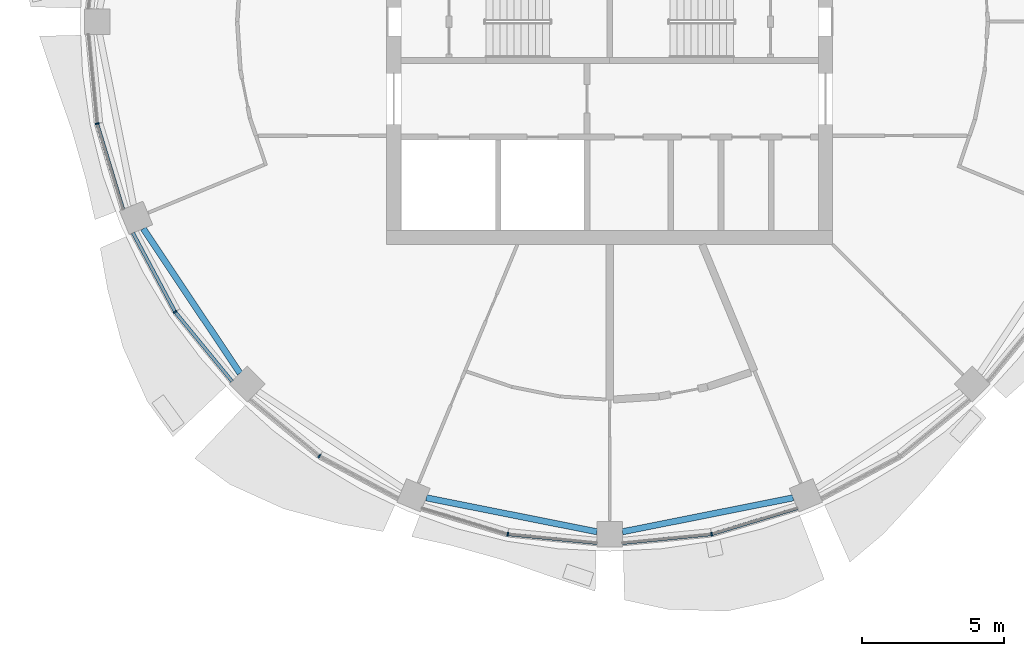
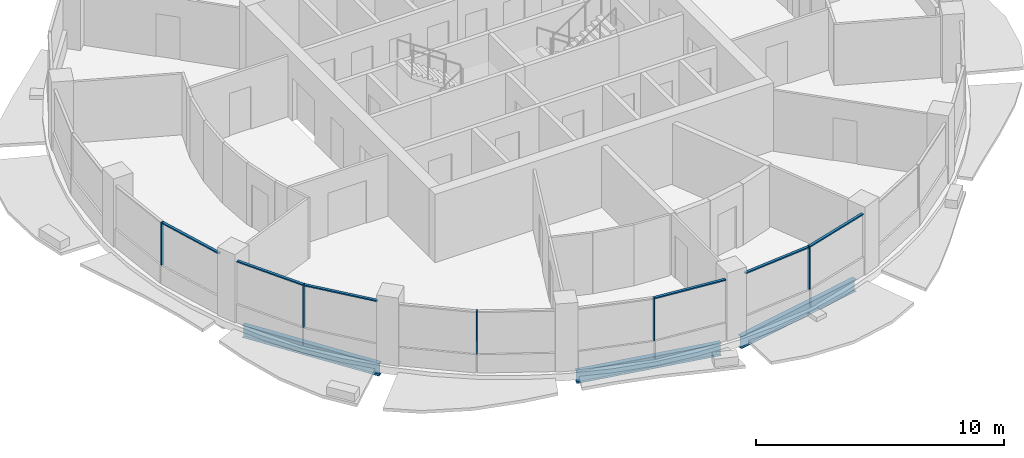
# One storey, part 2 of 15: 11 members, 3 beams, 5 elements without a shape of their own.
"""IFC4 building model written with IfcOpenShell, lengths in metres."""

from ifc_helpers import new_model, si_unit, direction, frame, origin, origin_2d, place, context, subcontext, project, spatial, rectangle, i_section, extrude, material, material_profile, profile_set, type_object, element, aggregate, save


model = new_model("IFC4")

# Units and contexts
model_context = context("Model", 3, precision=1e-05, world=origin(), true_north=direction((0.0, 1.0)))
body_context = subcontext(model_context, "Body", "Model", "MODEL_VIEW")
ifc_project = project(units=[si_unit("LENGTHUNIT", "METRE"), si_unit("AREAUNIT", "SQUARE_METRE"), si_unit("VOLUMEUNIT", "CUBIC_METRE"), si_unit("PLANEANGLEUNIT", "RADIAN"), si_unit("MASSUNIT", "GRAM", prefix="KILO")], contexts=[model_context])

# Site, building, storey
site_placement = place(None, origin())
site = spatial("IfcSite", under=ifc_project, at=site_placement, CompositionType="ELEMENT")
building_placement = place(site_placement, origin())
building = spatial("IfcBuilding", under=site, at=building_placement, Name="Polderwave Tower", CompositionType="ELEMENT")
storey_placement = place(building_placement, frame((0.0, 0.0, 170.89990234375)))
storey = spatial("IfcBuildingStorey", under=building, at=storey_placement, Name="L45", CompositionType="ELEMENT", Elevation=170.89990234375)

# Curtain wall, member
ifc_material_1 = material(Name="Aluminium 6063-T6 and glass", Category="aluminium")
curtain_wall_type = type_object("IfcCurtainWallType", Name="Office ribbon glazing wall", PredefinedType="NOTDEFINED", material=ifc_material_1)
curtain_wall_1_placement = place(storey_placement, origin())
curtain_wall_1 = element("IfcCurtainWall", 1, at=curtain_wall_1_placement, inside=storey, type_object=curtain_wall_type, Name="CW3 L45 08", PredefinedType="NOTDEFINED")
ifc_material_2 = material(Name="Aluminium 6063-T6", Category="aluminium")
ifc_material_profile_1 = material_profile(ifc_material_2, rectangle(XDim=0.139892578125, YDim=0.054931640625, at=origin_2d()), Name="AL 55x140")
ifc_profile_set_1 = profile_set([ifc_material_profile_1], Name="Aluminium 6063-T6")
member_type_1 = type_object("IfcMemberType", Name="Office ribbon glazing mullion 55x140", PredefinedType="MULLION", material=ifc_profile_set_1)
member_1_placement = place(storey_placement, frame((-18.094970703125, -3.59912109375, 0.900146484375), z_axis=(0.0, 0.0, 1.0), x_axis=(0.980783918392, 0.195097169184, 0.0)))
member_1 = element("IfcMember", 2, at=member_1_placement, type_object=member_type_1, Name="CW3 mullion 1", PredefinedType="MULLION", context=body_context, shape_type="SweptSolid", body=[
    extrude(rectangle(XDim=0.139892578125, YDim=0.054931640625, at=origin_2d()), origin(), (0.0, 0.0, 1.0), 2.099853515625),
])

curtain_wall_2_placement = place(storey_placement, origin())
curtain_wall_2 = element("IfcCurtainWall", 3, at=curtain_wall_2_placement, inside=storey, type_object=curtain_wall_type, Name="CW3 L45 09", PredefinedType="NOTDEFINED")
member_2_placement = place(storey_placement, frame((-15.341064453125, -10.25, 0.900146484375), z_axis=(0.0, 0.0, 1.0), x_axis=(0.831547176436, 0.555454132545, 0.0)))
member_2 = element("IfcMember", 4, at=member_2_placement, type_object=member_type_1, Name="CW3 mullion 1", PredefinedType="MULLION", context=body_context, shape_type="SweptSolid", body=[
    extrude(rectangle(XDim=0.139892578125, YDim=0.054931640625, at=origin_2d()), origin(), (0.0, 0.0, 1.0), 2.099853515625),
])

curtain_wall_3_placement = place(storey_placement, origin())
curtain_wall_3 = element("IfcCurtainWall", 5, at=curtain_wall_3_placement, inside=storey, type_object=curtain_wall_type, Name="CW3 L45 10", PredefinedType="NOTDEFINED")
member_3_placement = place(storey_placement, frame((-10.25, -15.341064453125, 0.900146484375), z_axis=(0.0, 0.0, 1.0), x_axis=(0.555454132545, 0.831547176436, 0.0)))
member_3 = element("IfcMember", 6, at=member_3_placement, type_object=member_type_1, Name="CW3 mullion 1", PredefinedType="MULLION", context=body_context, shape_type="SweptSolid", body=[
    extrude(rectangle(XDim=0.139892578125, YDim=0.054931640625, at=origin_2d()), origin(), (0.0, 0.0, 1.0), 2.099853515625),
])
aggregate(curtain_wall_3, [member_3])

curtain_wall_4_placement = place(storey_placement, origin())
curtain_wall_4 = element("IfcCurtainWall", 7, at=curtain_wall_4_placement, inside=storey, type_object=curtain_wall_type, Name="CW3 L45 11", PredefinedType="NOTDEFINED")
member_4_placement = place(storey_placement, frame((-3.59912109375, -18.094970703125, 0.900146484375), z_axis=(0.0, 0.0, 1.0), x_axis=(0.195097169184, 0.980783918392, 0.0)))
member_4 = element("IfcMember", 8, at=member_4_placement, type_object=member_type_1, Name="CW3 mullion 1", PredefinedType="MULLION", context=body_context, shape_type="SweptSolid", body=[
    extrude(rectangle(XDim=0.139892578125, YDim=0.054931640625, at=origin_2d()), origin(), (0.0, 0.0, 1.0), 2.099853515625),
])

curtain_wall_5_placement = place(storey_placement, origin())
curtain_wall_5 = element("IfcCurtainWall", 9, at=curtain_wall_5_placement, inside=storey, type_object=curtain_wall_type, Name="CW3 L45 12", PredefinedType="NOTDEFINED")
member_5_placement = place(storey_placement, frame((3.59912109375, -18.094970703125, 0.900146484375), z_axis=(0.0, 0.0, 1.0), x_axis=(-0.195097169184, 0.980783918392, 0.0)))
member_5 = element("IfcMember", 10, at=member_5_placement, type_object=member_type_1, Name="CW3 mullion 1", PredefinedType="MULLION", context=body_context, shape_type="SweptSolid", body=[
    extrude(rectangle(XDim=0.139892578125, YDim=0.054931640625, at=origin_2d()), origin(), (0.0, 0.0, 1.0), 2.099853515625),
])

# Member
ifc_material_profile_2 = material_profile(ifc_material_2, rectangle(XDim=0.1201171875, YDim=0.06005859375, at=origin_2d()), Name="AL 60x120")
ifc_profile_set_2 = profile_set([ifc_material_profile_2], Name="Aluminium 6063-T6")
member_type_2 = type_object("IfcMemberType", Name="Office ribbon glazing transom 60x120", PredefinedType="USERDEFINED", material=ifc_profile_set_2)
member_6_placement = place(storey_placement, frame((-18.0869140625, -3.625244140625, 2.97021484375), z_axis=(0.29000955494, -0.957023749989, 0.0), x_axis=(0.957023749989, 0.29000955494, 0.0)))
member_6 = element("IfcMember", 11, at=member_6_placement, type_object=member_type_2, Name="CW3 transom 2", ObjectType="TRANSOM", PredefinedType="USERDEFINED", context=body_context, shape_type="SweptSolid", body=[
    extrude(rectangle(XDim=0.1201171875, YDim=0.06005859375, at=origin_2d()), origin(), (0.0, 0.0, 1.0), 3.137451171875),
])

aggregate(curtain_wall_1, [member_1, member_6])

member_7_placement = place(storey_placement, frame((-16.83203125, -7.458984375, 2.97021484375), z_axis=(0.471210255925, -0.882020915121, 0.0), x_axis=(0.882020915121, 0.471210255925, 0.0)))
member_7 = element("IfcMember", 12, at=member_7_placement, type_object=member_type_2, Name="CW3 transom 1", ObjectType="TRANSOM", PredefinedType="USERDEFINED", context=body_context, shape_type="SweptSolid", body=[
    extrude(rectangle(XDim=0.1201171875, YDim=0.06005859375, at=origin_2d()), origin(), (0.0, 0.0, 1.0), 3.13671875),
])

member_8_placement = place(storey_placement, frame((-15.323486328125, -10.271240234375, 2.97021484375), z_axis=(0.634334495686, -0.773058696079, 0.0), x_axis=(0.773058696079, 0.634334495686, 0.0)))
member_8 = element("IfcMember", 13, at=member_8_placement, type_object=member_type_2, Name="CW3 transom 2", ObjectType="TRANSOM", PredefinedType="USERDEFINED", context=body_context, shape_type="SweptSolid", body=[
    extrude(rectangle(XDim=0.1201171875, YDim=0.06005859375, at=origin_2d()), origin(), (0.0, 0.0, 1.0), 3.137939453125),
])

aggregate(curtain_wall_2, [member_2, member_7, member_8])

member_9_placement = place(storey_placement, frame((-3.571533203125, -18.09765625, 2.97021484375), z_axis=(0.995156679386, -0.098301492731, 0.0), x_axis=(0.098301492731, 0.995156679386, 0.0)))
member_9 = element("IfcMember", 14, at=member_9_placement, type_object=member_type_2, Name="CW3 transom 2", ObjectType="TRANSOM", PredefinedType="USERDEFINED", context=body_context, shape_type="SweptSolid", body=[
    extrude(rectangle(XDim=0.1201171875, YDim=0.06005859375, at=origin_2d()), origin(), (0.0, 0.0, 1.0), 3.13671875),
])

aggregate(curtain_wall_4, [member_4, member_9])

member_10_placement = place(storey_placement, frame((0.449951171875, -18.406005859375, 2.97021484375), z_axis=(0.995156679386, 0.098301492731, 0.0), x_axis=(-0.098301492731, 0.995156679386, 0.0)))
member_10 = element("IfcMember", 15, at=member_10_placement, type_object=member_type_2, Name="CW3 transom 1", ObjectType="TRANSOM", PredefinedType="USERDEFINED", context=body_context, shape_type="SweptSolid", body=[
    extrude(rectangle(XDim=0.1201171875, YDim=0.06005859375, at=origin_2d()), origin(), (0.0, 0.0, 1.0), 3.13671875),
])

member_11_placement = place(storey_placement, frame((3.625244140625, -18.0869140625, 2.97021484375), z_axis=(0.957023749989, 0.29000955494, 0.0), x_axis=(-0.29000955494, 0.957023749989, 0.0)))
member_11 = element("IfcMember", 16, at=member_11_placement, type_object=member_type_2, Name="CW3 transom 2", ObjectType="TRANSOM", PredefinedType="USERDEFINED", context=body_context, shape_type="SweptSolid", body=[
    extrude(rectangle(XDim=0.1201171875, YDim=0.06005859375, at=origin_2d()), origin(), (0.0, 0.0, 1.0), 3.137451171875),
])

aggregate(curtain_wall_5, [member_5, member_10, member_11])

# Beams
ifc_material_3 = material(Name="Steel S355", Category="steel")
ifc_material_profile_3 = material_profile(ifc_material_3, i_section(OverallWidth=0.219970703125, OverallDepth=0.60009765625, WebThickness=0.011962890625, FlangeThickness=0.01904296875, at=origin_2d()), Name="IPE 600")
ifc_profile_set_3 = profile_set([ifc_material_profile_3], Name="Steel S355")
beam_type = type_object("IfcBeamType", Name="RING BEAM IPE 600", PredefinedType="BEAM", material=ifc_profile_set_3)
for number, where, z_axis, x_axis, name in (
    (17, (-16.46728515625, -7.30810546875, -0.64990234375), (0.555570937424, -0.831469141634, 0.0), (0.831469141634, 0.555570937424, 0.0), "ST-RB-L45-09"),
    (18, (-6.4765625, -16.811767578125, -0.64990234375), (0.980786434346, -0.195084520666, 0.0), (0.195084520666, 0.980786434346, 0.0), "ST-RB-L45-11"),
    (19, (0.449951171875, -18.010498046875, -0.64990234375), (0.980786434346, 0.195084520666, 0.0), (-0.195084520666, 0.980786434346, 0.0), "ST-RB-L45-12"),
):
    element("IfcBeam", number, at=place(storey_placement, frame(where, z_axis=z_axis, x_axis=x_axis)), inside=storey, type_object=beam_type, Name=name, PredefinedType="BEAM", context=body_context, shape_type="SweptSolid", body=[
        extrude(i_section(OverallWidth=0.219970703125, OverallDepth=0.60009765625, WebThickness=0.011962890625, FlangeThickness=0.01904296875, at=origin_2d()), origin(), (0.0, 0.0, 1.0), 6.144775390625),
    ])

save(model, "model.ifc")
